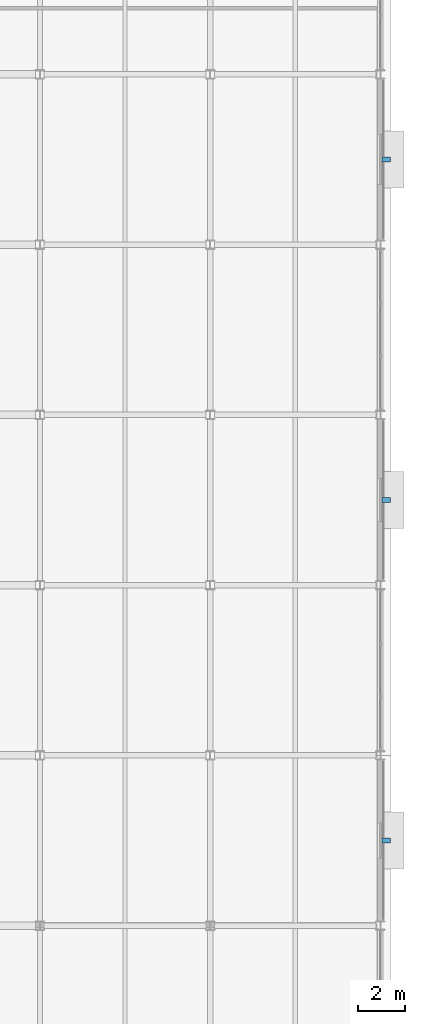
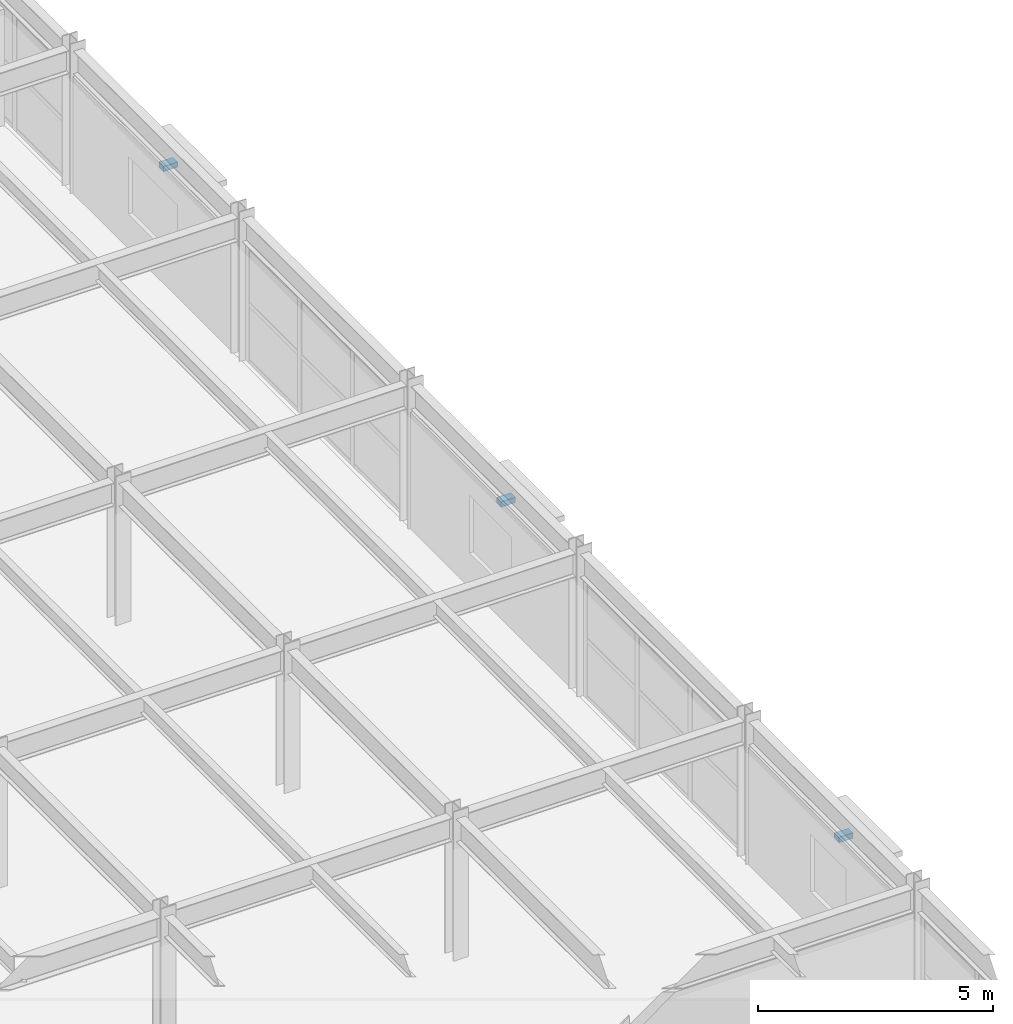
# One storey, part 75 of 93: 3 discrete accessories.
"""IFC4 building model written with IfcOpenShell, lengths in metres."""

from ifc_helpers import new_model, si_unit, direction, frame, origin, origin_2d, place, context, subcontext, project, spatial, rectangle, extrude, material, type_object, element, save


model = new_model("IFC4")

# Units and contexts
model_context = context("Model", 3, precision=1e-05, world=origin(), true_north=direction((0.0, 1.0)))
body_context = subcontext(model_context, "Body", "Model", "MODEL_VIEW")
ifc_project = project(units=[si_unit("LENGTHUNIT", "METRE"), si_unit("AREAUNIT", "SQUARE_METRE"), si_unit("VOLUMEUNIT", "CUBIC_METRE"), si_unit("PLANEANGLEUNIT", "RADIAN"), si_unit("MASSUNIT", "GRAM", prefix="KILO")], contexts=[model_context])

# Site, building, storey
site_placement = place(None, origin())
site = spatial("IfcSite", under=ifc_project, at=site_placement, CompositionType="ELEMENT")
building_placement = place(site_placement, origin())
building = spatial("IfcBuilding", under=site, at=building_placement, Name="Vaelcorin Mobility Hub", CompositionType="ELEMENT")
storey_placement = place(building_placement, frame((0.0, 0.0, 5.39990234375)))
storey = spatial("IfcBuildingStorey", under=building, at=storey_placement, Name="L01", CompositionType="ELEMENT", Elevation=5.39990234375)

# Discrete accessories
ifc_material = material(Name="Galvanised structural steel ASTM A36", Category="steel")
discrete_accessory_type = type_object("IfcDiscreteAccessoryType", Name="ACC-BRK-FIN", PredefinedType="BRACKET", material=ifc_material)
for number, where, z_axis, x_axis, name in (
    (1, (204.25, 80.39990234375, 2.623046875), (0.0, 0.0, 1.0), (1.0, 0.0, 0.0), "Sun-Hood Bracket L01-09"),
    (2, (204.25, 94.800048828125, 2.623046875), (0.0, 0.0, 1.0), (1.0, 0.0, 0.0), "Sun-Hood Bracket L01-11"),
    (3, (204.25, 109.199951171875, 2.623046875), (0.0, 0.0, 1.0), (1.0, 0.0, 0.0), "Sun-Hood Bracket L01-13"),
):
    element("IfcDiscreteAccessory", number, at=place(storey_placement, frame(where, z_axis=z_axis, x_axis=x_axis)), inside=storey, type_object=discrete_accessory_type, Name=name, PredefinedType="BRACKET", context=body_context, shape_type="SweptSolid", body=[
        extrude(rectangle(XDim=0.35009765625, YDim=0.199951171875, at=origin_2d()), origin(), (0.0, 0.0, 1.0), 0.139892578125),
    ])

save(model, "model.ifc")
